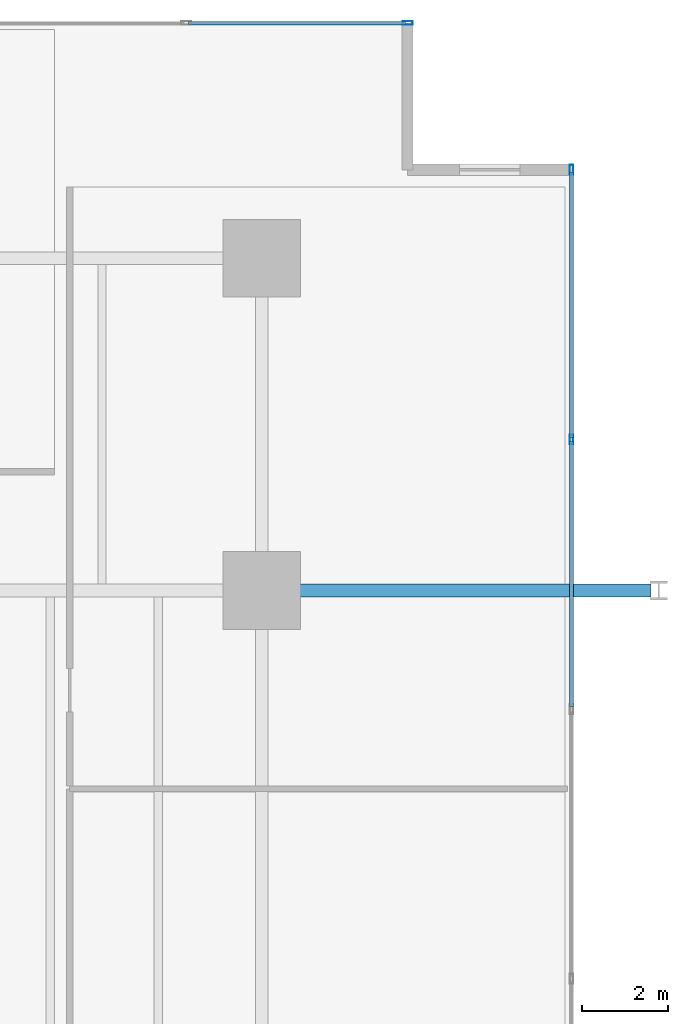
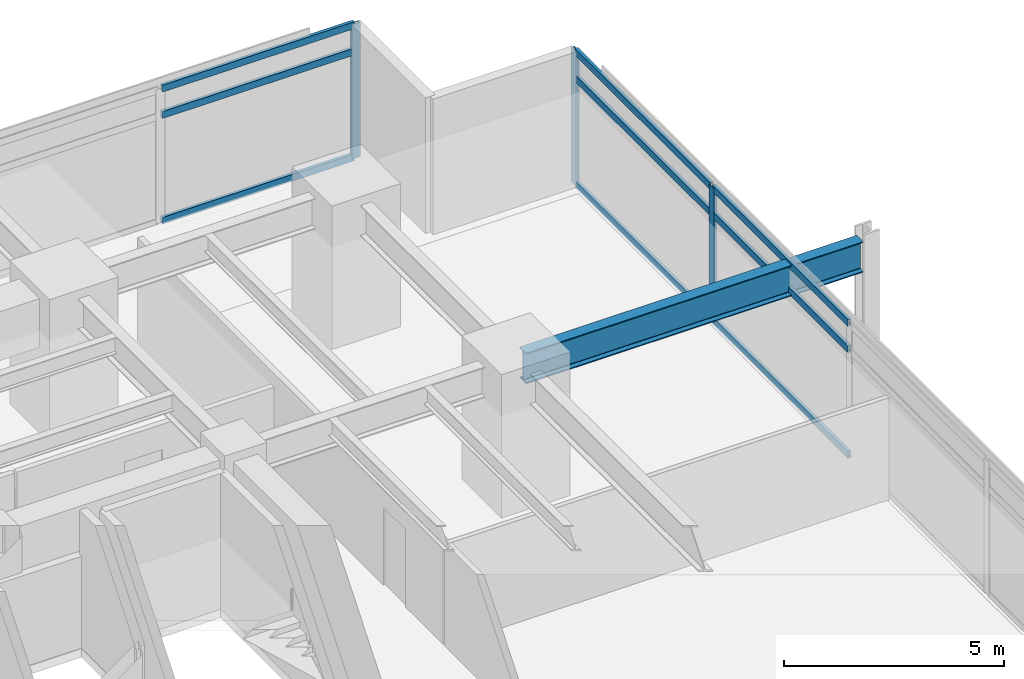
# One storey, part 12 of 22: 12 members, 1 beam, 2 elements without a shape of their own.
"""IFC4 building model written with IfcOpenShell, lengths in metres."""

import ifcopenshell
import ifcopenshell.guid

model = None  # the IFC model being written
_history = None  # IfcOwnerHistory: only IFC2X3 demands one
_inside = {}  # id of a spatial element -> (the spatial element, [elements in it])
_under = {}  # id of a project, library or spatial element -> (it, [spatial elements below it])
_declared = {}  # id of a project -> (the project, [libraries it declares])
_typed = {}  # id of a type object -> (the type object, [elements of that type])
_made_of = {}  # id of a material, layer set ... -> (it, [elements and type objects made of it])


def new_model(schema):
    """Start an empty IFC model of exactly this schema.

    Asked for "IFC4X3", IfcOpenShell would pick the latest addendum, in which some entities
    have other attributes; the version numbers below select the first issue.
    IFC2X3 requires an IfcOwnerHistory on every rooted entity: one is made here for all.
    """
    global model, _history
    if schema == "IFC4X3":
        model = ifcopenshell.file(schema_version=(4, 3, 0, 0))
    else:
        model = ifcopenshell.file(schema=schema)
    _inside.clear()
    _under.clear()
    _declared.clear()
    _typed.clear()
    _made_of.clear()
    _history = None
    if model.schema == "IFC2X3":
        org = make("IfcOrganization", Name="unknown")
        user = make(
            "IfcPersonAndOrganization",
            ThePerson=make("IfcPerson", FamilyName="unknown"),
            TheOrganization=org,
        )
        app = make(
            "IfcApplication",
            ApplicationDeveloper=org,
            Version="unknown",
            ApplicationFullName="unknown",
            ApplicationIdentifier="unknown",
        )
        _history = make(
            "IfcOwnerHistory",
            OwningUser=user,
            OwningApplication=app,
            ChangeAction="ADDED",
            CreationDate=0,
        )
    return model


def make(cls, **values):
    """One entity of the class cls with the attributes given. An attribute that is None is left unset."""
    return model.create_entity(
        cls, **{name: value for name, value in values.items() if value is not None}
    )


def rooted(cls, **values):
    """An entity with a GlobalId (a new one), such as an element, a storey or a relation."""
    return make(cls, GlobalId=ifcopenshell.guid.new(), OwnerHistory=_history, **values)


def si_unit(unit_type, name, prefix=None):
    """IfcSIUnit, for example si_unit("LENGTHUNIT", "METRE", prefix="MILLI")."""
    return make("IfcSIUnit", UnitType=unit_type, Prefix=prefix, Name=name)


def assignment(units):
    """IfcUnitAssignment: the units of a project."""
    return None if units is None else make("IfcUnitAssignment", Units=units)


def point(xyz):
    """IfcCartesianPoint."""
    return None if xyz is None else make("IfcCartesianPoint", Coordinates=xyz)


def direction(xyz):
    """IfcDirection."""
    return None if xyz is None else make("IfcDirection", DirectionRatios=xyz)


def frame(location, z_axis=None, x_axis=None):
    """IfcAxis2Placement3D, a coordinate frame: its origin and axes. An axis left out is left unset."""
    return make(
        "IfcAxis2Placement3D",
        Location=point(location),
        Axis=direction(z_axis),
        RefDirection=direction(x_axis),
    )


def frame_2d(location, x_axis=None):
    """IfcAxis2Placement2D, a coordinate frame in the plane: its origin and x axis."""
    return make(
        "IfcAxis2Placement2D", Location=point(location), RefDirection=direction(x_axis)
    )


def origin():
    """The frame at (0, 0, 0) with its axes left unset."""
    return frame((0.0, 0.0, 0.0))


def origin_2d():
    """The frame at (0, 0) in the plane with its x axis left unset."""
    return frame_2d((0.0, 0.0))


def place(relative_to, where):
    """IfcLocalPlacement: puts the frame where relative to a parent placement (None: the world)."""
    return make(
        "IfcLocalPlacement", PlacementRelTo=relative_to, RelativePlacement=where
    )


def context(
    kind, dimensions, precision=None, world=None, true_north=None, identifier=None
):
    """IfcGeometricRepresentationContext, for example the 3D "Model" context."""
    return make(
        "IfcGeometricRepresentationContext",
        ContextIdentifier=identifier,
        ContextType=kind,
        CoordinateSpaceDimension=dimensions,
        Precision=precision,
        WorldCoordinateSystem=world,
        TrueNorth=true_north,
    )


def subcontext(parent, identifier, kind, view, scale=None):
    """IfcGeometricRepresentationSubContext, for example "Body" below "Model"."""
    return make(
        "IfcGeometricRepresentationSubContext",
        ContextIdentifier=identifier,
        ContextType=kind,
        ParentContext=parent,
        TargetScale=scale,
        TargetView=view,
    )


def project(units=None, contexts=None):
    """IfcProject with its units and contexts."""
    return rooted(
        "IfcProject",
        Name="project",
        RepresentationContexts=contexts,
        UnitsInContext=assignment(units),
    )


def spatial(cls, under=None, at=None, **own):
    """A site, building, storey or space (cls), placed at a placement, below another one or the project."""
    s = rooted(cls, ObjectPlacement=at, **own)
    if under is not None:
        _under.setdefault(under.id(), (under, []))[1].append(s)
    return s


def profile(cls, at=None, kind="AREA", **sizes):
    """A parametric profile (cls). Its sizes go by their IFC names, for example OverallWidth=200.0."""
    return make(cls, ProfileType=kind, Position=at, **sizes)


def hollow_rectangle(**sizes):
    """IfcRectangleHollowProfileDef."""
    return profile("IfcRectangleHollowProfileDef", **sizes)


def i_section(**sizes):
    """IfcIShapeProfileDef."""
    return profile("IfcIShapeProfileDef", **sizes)


def extrude(swept, where, along, depth):
    """IfcExtrudedAreaSolid: the profile swept, set in the frame where, extruded along a direction by depth."""
    return make(
        "IfcExtrudedAreaSolid",
        SweptArea=swept,
        Position=where,
        ExtrudedDirection=direction(along),
        Depth=depth,
    )


def shape(context_of_items, identifier, shape_type, items):
    """IfcShapeRepresentation: the items that make up one representation, for example the "Body"."""
    return make(
        "IfcShapeRepresentation",
        ContextOfItems=context_of_items,
        RepresentationIdentifier=identifier,
        RepresentationType=shape_type,
        Items=items,
    )


def material(Name=None, Category=None):
    """IfcMaterial."""
    return make("IfcMaterial", Name=Name, Category=Category)


def material_profile(
    of_material, cross_section, Name=None, Category=None, Priority=None
):
    """IfcMaterialProfile: a cross section and its material."""
    return make(
        "IfcMaterialProfile",
        Name=Name,
        Material=of_material,
        Profile=cross_section,
        Priority=Priority,
        Category=Category,
    )


def profile_set(profiles, Name=None, composite=None):
    """IfcMaterialProfileSet."""
    return make(
        "IfcMaterialProfileSet",
        Name=Name,
        MaterialProfiles=profiles,
        CompositeProfile=composite,
    )


def made_of(thing, what):
    """Note that an element or type object is made of a material, layer set ...; save() writes the relation."""
    if what is not None:
        _made_of.setdefault(what.id(), (what, []))[1].append(thing)
    return thing


def type_object(cls, material=None, **own):
    """A type object (cls), such as IfcWallType, which elements share."""
    return made_of(rooted(cls, **own), material)


def element(
    cls,
    number,
    at=None,
    inside=None,
    cuts=None,
    type_object=None,
    material=None,
    context=None,
    identifier="Body",
    shape_type=None,
    held_by="IfcProductDefinitionShape",
    body=None,
    shapes=None,
    **own,
):
    """One element of the class cls, such as IfcWall. Its Tag is "e" and its number.

    at: its placement. inside: the storey or other place that contains it. cuts: it is an
    opening in that element (IfcRelVoidsElement). A single representation is given by context,
    identifier, shape_type and body (its items); several are given by shapes. held_by: the class
    of the entity that holds the representations. save() writes the other relations.
    """
    e = rooted(cls, Tag="e%d" % number, ObjectPlacement=at, **own)
    if body is not None:
        shapes = [shape(context, identifier, shape_type, body)]
    if shapes is not None:
        e.Representation = make(held_by, Representations=shapes)
    if inside is not None:
        _inside.setdefault(inside.id(), (inside, []))[1].append(e)
    if cuts is not None:
        rooted(
            "IfcRelVoidsElement", RelatingBuildingElement=cuts, RelatedOpeningElement=e
        )
    if type_object is not None:
        _typed.setdefault(type_object.id(), (type_object, []))[1].append(e)
    return made_of(e, material)


def aggregate(whole, parts):
    """IfcRelAggregates: a whole, such as a stair, and the parts it consists of."""
    return rooted("IfcRelAggregates", RelatingObject=whole, RelatedObjects=parts)


def save(model, path):
    """Write the relations noted so far, then the file.

    IfcRelAggregates (storeys below a building ...), IfcRelContainedInSpatialStructure (elements
    in a storey), IfcRelDefinesByType, IfcRelAssociatesMaterial and IfcRelDeclares: one each for
    every whole, place, type object, material and project.
    """
    for whole, parts in _under.values():
        aggregate(whole, parts)
    for where, things in _inside.values():
        rooted(
            "IfcRelContainedInSpatialStructure",
            RelatedElements=things,
            RelatingStructure=where,
        )
    for kind, things in _typed.values():
        rooted("IfcRelDefinesByType", RelatedObjects=things, RelatingType=kind)
    for what, things in _made_of.values():
        rooted("IfcRelAssociatesMaterial", RelatedObjects=things, RelatingMaterial=what)
    for by, libraries in _declared.values():
        rooted("IfcRelDeclares", RelatingContext=by, RelatedDefinitions=libraries)
    model.write(path)


model = new_model("IFC4")

# Units and contexts
model_context = context("Model", 3, precision=1e-05, world=origin(), true_north=direction((0.0, 1.0)))
body_context = subcontext(model_context, "Body", "Model", "MODEL_VIEW")
ifc_project = project(units=[si_unit("LENGTHUNIT", "METRE"), si_unit("AREAUNIT", "SQUARE_METRE"), si_unit("VOLUMEUNIT", "CUBIC_METRE"), si_unit("PLANEANGLEUNIT", "RADIAN"), si_unit("MASSUNIT", "GRAM", prefix="KILO")], contexts=[model_context])

# Site, building, storey
site_placement = place(None, origin())
site = spatial("IfcSite", under=ifc_project, at=site_placement, CompositionType="ELEMENT")
building_placement = place(site_placement, origin())
building = spatial("IfcBuilding", under=site, at=building_placement, Name="Kovane Verandah Tower", CompositionType="ELEMENT")
storey_placement = place(building_placement, frame((0.0, 0.0, 51.60009765625)))
storey = spatial("IfcBuildingStorey", under=building, at=storey_placement, Name="L11", CompositionType="ELEMENT", Elevation=51.60009765625)

# Beam
ifc_material_1 = material(Name="Steel S355", Category="steel")
ifc_material_profile_1 = material_profile(ifc_material_1, i_section(OverallWidth=0.293701171875, OverallDepth=0.850830078125, WebThickness=0.01611328125, FlangeThickness=0.02685546875, FilletRadius=0.017822265625, at=origin_2d()), Name="UB838x292x226")
ifc_profile_set_1 = profile_set([ifc_material_profile_1], Name="Steel S355")
beam_type = type_object("IfcBeamType", Name="BM-UB838x226", PredefinedType="BEAM", material=ifc_profile_set_1)
beam_placement = place(storey_placement, frame((58.580078125, 36.5, 3.33447265625), z_axis=(1.0, 0.0, 0.0), x_axis=(0.0, 1.0, 0.0)))
element("IfcBeam", 1, at=beam_placement, inside=storey, type_object=beam_type, Name="L11 Primary Tower Girder G-VE2", PredefinedType="BEAM", context=body_context, shape_type="SweptSolid", body=[
    extrude(i_section(OverallWidth=0.293701171875, OverallDepth=0.850830078125, WebThickness=0.01611328125, FlangeThickness=0.02685546875, FilletRadius=0.017822265625, at=origin_2d()), origin(), (0.0, 0.0, 1.0), 8.83984375),
])

# Curtain wall, members
ifc_material_2 = material(Name="Champagne Anodised Aluminium Frame with Low-E Clear Laminated Glass", Category="aluminium")
curtain_wall_type = type_object("IfcCurtainWallType", Name="CW-SYS-02-LOW", PredefinedType="NOTDEFINED", material=ifc_material_2)
curtain_wall_1_placement = place(storey_placement, origin())
curtain_wall_1 = element("IfcCurtainWall", 2, at=curtain_wall_1_placement, inside=storey, type_object=curtain_wall_type, Name="L11 E Unitised Curtain Wall", PredefinedType="NOTDEFINED")
ifc_material_3 = material(Name="Champagne Anodised Aluminium 6063-T6", Category="aluminium")
ifc_material_profile_2 = material_profile(ifc_material_3, hollow_rectangle(XDim=0.0849609375, YDim=0.22998046875, WallThickness=0.00390625, at=origin_2d()), Name="AL85x230x4")
ifc_profile_set_2 = profile_set([ifc_material_profile_2], Name="Champagne Anodised Aluminium 6063-T6")
member_type_1 = type_object("IfcMemberType", Name="CW-MUL-85x230", PredefinedType="MULLION", material=ifc_profile_set_2)
member_1_placement = place(storey_placement, frame((65.580322265625, 39.99755859375, 0.02001953125), z_axis=(0.0, 0.0, 1.0), x_axis=(1.0, 0.0, 0.0)))
member_1 = element("IfcMember", 3, at=member_1_placement, type_object=member_type_1, Name="L11 E Unitised Curtain Wall Mullion 6", PredefinedType="MULLION", context=body_context, shape_type="SweptSolid", body=[
    extrude(hollow_rectangle(XDim=0.0849609375, YDim=0.22998046875, WallThickness=0.00390625, at=origin_2d()), origin(), (0.0, 0.0, 1.0), 3.719970703125),
])
member_2_placement = place(storey_placement, frame((65.580322265625, 46.24609375, 0.02001953125), z_axis=(0.0, 0.0, 1.0), x_axis=(1.0, 0.0, 0.0)))
member_2 = element("IfcMember", 4, at=member_2_placement, type_object=member_type_1, Name="L11 E Unitised Curtain Wall Mullion 7", PredefinedType="MULLION", context=body_context, shape_type="SweptSolid", body=[
    extrude(hollow_rectangle(XDim=0.0849609375, YDim=0.22998046875, WallThickness=0.00390625, at=origin_2d()), origin(), (0.0, 0.0, 1.0), 3.719970703125),
])

# Curtain wall, member
curtain_wall_2_placement = place(storey_placement, origin())
curtain_wall_2 = element("IfcCurtainWall", 5, at=curtain_wall_2_placement, inside=storey, type_object=curtain_wall_type, Name="L11 N Unitised Curtain Wall-1", PredefinedType="NOTDEFINED")
member_3_placement = place(storey_placement, frame((61.7802734375, 49.646240234375, 0.02001953125), z_axis=(0.0, 0.0, 1.0), x_axis=(0.0, 1.0, 0.0)))
member_3 = element("IfcMember", 6, at=member_3_placement, type_object=member_type_1, Name="L11 N Unitised Curtain Wall-1 Mullion 1", PredefinedType="MULLION", context=body_context, shape_type="SweptSolid", body=[
    extrude(hollow_rectangle(XDim=0.0849609375, YDim=0.22998046875, WallThickness=0.00390625, at=origin_2d()), origin(), (0.0, 0.0, 1.0), 3.719970703125),
])

# Member
ifc_material_profile_3 = material_profile(ifc_material_3, hollow_rectangle(XDim=0.0849609375, YDim=0.18994140625, WallThickness=0.00390625, at=origin_2d()), Name="AL85x190x4")
ifc_profile_set_3 = profile_set([ifc_material_profile_3], Name="Champagne Anodised Aluminium 6063-T6")
member_type_2 = type_object("IfcMemberType", Name="CW-TRN-85x190", PredefinedType="USERDEFINED", material=ifc_profile_set_3)
member_4_placement = place(storey_placement, frame((65.580322265625, 33.798583984375, 0.0498046875), z_axis=(0.0, 1.0, 0.0), x_axis=(-1.0, 0.0, 0.0)))
member_4 = element("IfcMember", 7, at=member_4_placement, type_object=member_type_2, Name="L11 E Unitised Curtain Wall Transom TB Bay 5", ObjectType="TRANSOM", PredefinedType="USERDEFINED", context=body_context, shape_type="SweptSolid", body=[
    extrude(hollow_rectangle(XDim=0.0849609375, YDim=0.18994140625, WallThickness=0.00390625, at=origin_2d()), origin(), (0.0, 0.0, 1.0), 6.14892578125),
])

member_5_placement = place(storey_placement, frame((65.580322265625, 33.798583984375, 2.97998046875), z_axis=(0.0, 1.0, 0.0), x_axis=(-1.0, 0.0, 0.0)))
member_5 = element("IfcMember", 8, at=member_5_placement, type_object=member_type_2, Name="L11 E Unitised Curtain Wall Transom TM Bay 5", ObjectType="TRANSOM", PredefinedType="USERDEFINED", context=body_context, shape_type="SweptSolid", body=[
    extrude(hollow_rectangle(XDim=0.0849609375, YDim=0.18994140625, WallThickness=0.00390625, at=origin_2d()), origin(), (0.0, 0.0, 1.0), 6.14892578125),
])

member_6_placement = place(storey_placement, frame((65.580322265625, 33.798583984375, 3.7099609375), z_axis=(0.0, 1.0, 0.0), x_axis=(-1.0, 0.0, 0.0)))
member_6 = element("IfcMember", 9, at=member_6_placement, type_object=member_type_2, Name="L11 E Unitised Curtain Wall Transom TT Bay 5", ObjectType="TRANSOM", PredefinedType="USERDEFINED", context=body_context, shape_type="SweptSolid", body=[
    extrude(hollow_rectangle(XDim=0.0849609375, YDim=0.18994140625, WallThickness=0.00390625, at=origin_2d()), origin(), (0.0, 0.0, 1.0), 6.14892578125),
])

member_7_placement = place(storey_placement, frame((65.580322265625, 40.047607421875, 0.0498046875), z_axis=(0.0, 1.0, 0.0), x_axis=(-1.0, 0.0, 0.0)))
member_7 = element("IfcMember", 10, at=member_7_placement, type_object=member_type_2, Name="L11 E Unitised Curtain Wall Transom TB Bay 6", ObjectType="TRANSOM", PredefinedType="USERDEFINED", context=body_context, shape_type="SweptSolid", body=[
    extrude(hollow_rectangle(XDim=0.0849609375, YDim=0.18994140625, WallThickness=0.00390625, at=origin_2d()), origin(), (0.0, 0.0, 1.0), 6.148681640625),
])

member_8_placement = place(storey_placement, frame((65.580322265625, 40.047607421875, 2.97998046875), z_axis=(0.0, 1.0, 0.0), x_axis=(-1.0, 0.0, 0.0)))
member_8 = element("IfcMember", 11, at=member_8_placement, type_object=member_type_2, Name="L11 E Unitised Curtain Wall Transom TM Bay 6", ObjectType="TRANSOM", PredefinedType="USERDEFINED", context=body_context, shape_type="SweptSolid", body=[
    extrude(hollow_rectangle(XDim=0.0849609375, YDim=0.18994140625, WallThickness=0.00390625, at=origin_2d()), origin(), (0.0, 0.0, 1.0), 6.148681640625),
])

member_9_placement = place(storey_placement, frame((65.580322265625, 40.047607421875, 3.7099609375), z_axis=(0.0, 1.0, 0.0), x_axis=(-1.0, 0.0, 0.0)))
member_9 = element("IfcMember", 12, at=member_9_placement, type_object=member_type_2, Name="L11 E Unitised Curtain Wall Transom TT Bay 6", ObjectType="TRANSOM", PredefinedType="USERDEFINED", context=body_context, shape_type="SweptSolid", body=[
    extrude(hollow_rectangle(XDim=0.0849609375, YDim=0.18994140625, WallThickness=0.00390625, at=origin_2d()), origin(), (0.0, 0.0, 1.0), 6.148681640625),
])

aggregate(curtain_wall_1, [member_1, member_2, member_4, member_5, member_6, member_7, member_8, member_9])

member_10_placement = place(storey_placement, frame((61.730224609375, 49.646240234375, 0.0498046875), z_axis=(-1.0, 0.0, 0.0), x_axis=(0.0, -1.0, 0.0)))
member_10 = element("IfcMember", 13, at=member_10_placement, type_object=member_type_2, Name="L11 N Unitised Curtain Wall-1 Transom TB Bay 1", ObjectType="TRANSOM", PredefinedType="USERDEFINED", context=body_context, shape_type="SweptSolid", body=[
    extrude(hollow_rectangle(XDim=0.0849609375, YDim=0.18994140625, WallThickness=0.00390625, at=origin_2d()), origin(), (0.0, 0.0, 1.0), 5.030029296875),
])

member_11_placement = place(storey_placement, frame((61.730224609375, 49.646240234375, 2.97998046875), z_axis=(-1.0, 0.0, 0.0), x_axis=(0.0, -1.0, 0.0)))
member_11 = element("IfcMember", 14, at=member_11_placement, type_object=member_type_2, Name="L11 N Unitised Curtain Wall-1 Transom TM Bay 1", ObjectType="TRANSOM", PredefinedType="USERDEFINED", context=body_context, shape_type="SweptSolid", body=[
    extrude(hollow_rectangle(XDim=0.0849609375, YDim=0.18994140625, WallThickness=0.00390625, at=origin_2d()), origin(), (0.0, 0.0, 1.0), 5.030029296875),
])

member_12_placement = place(storey_placement, frame((61.730224609375, 49.646240234375, 3.7099609375), z_axis=(-1.0, 0.0, 0.0), x_axis=(0.0, -1.0, 0.0)))
member_12 = element("IfcMember", 15, at=member_12_placement, type_object=member_type_2, Name="L11 N Unitised Curtain Wall-1 Transom TT Bay 1", ObjectType="TRANSOM", PredefinedType="USERDEFINED", context=body_context, shape_type="SweptSolid", body=[
    extrude(hollow_rectangle(XDim=0.0849609375, YDim=0.18994140625, WallThickness=0.00390625, at=origin_2d()), origin(), (0.0, 0.0, 1.0), 5.030029296875),
])

aggregate(curtain_wall_2, [member_3, member_10, member_11, member_12])

save(model, "model.ifc")
